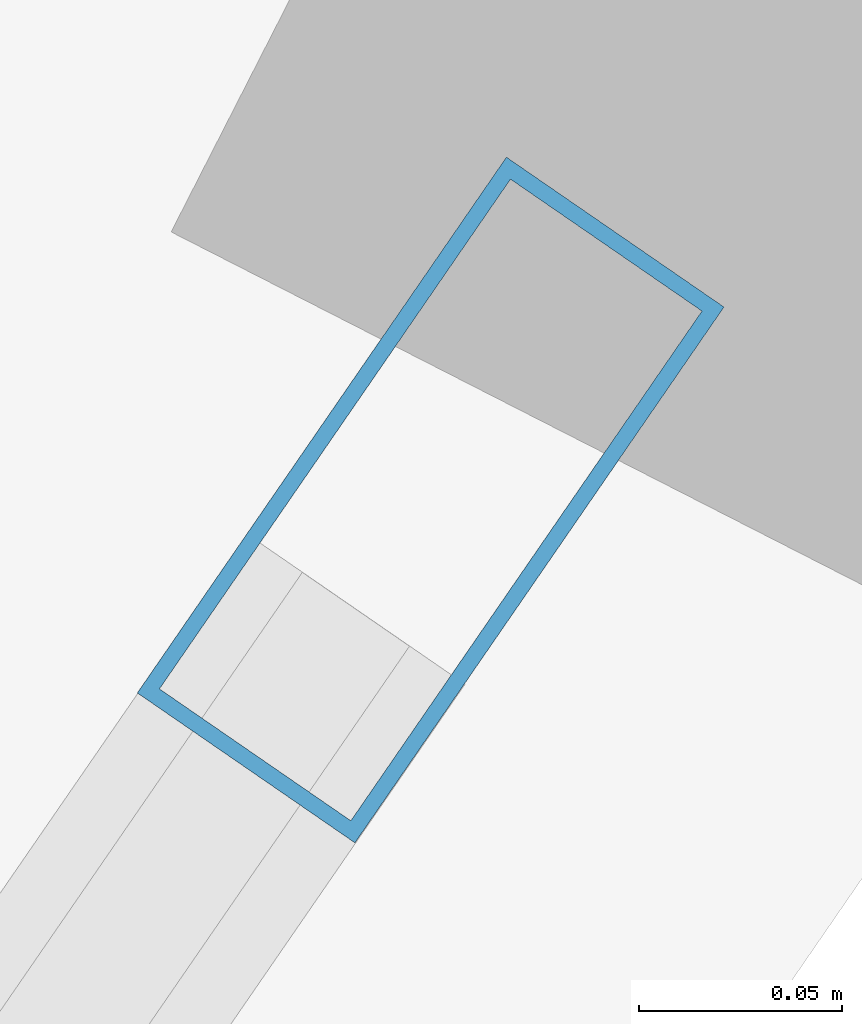
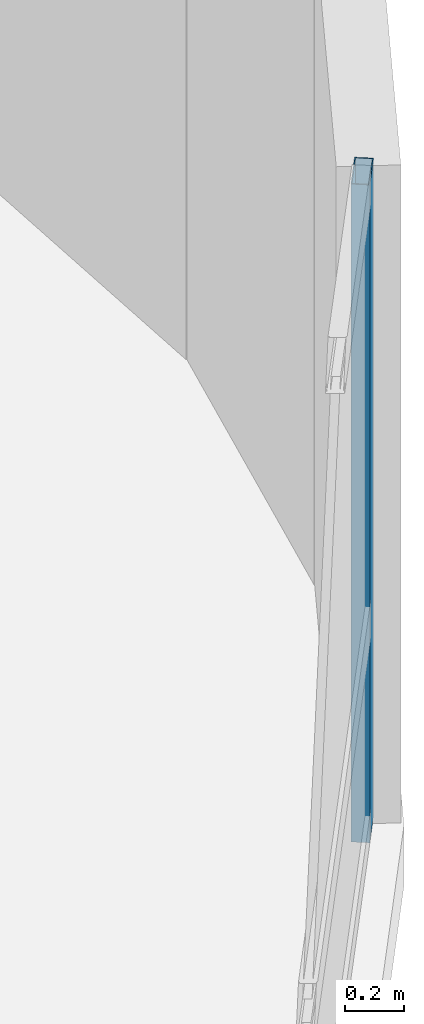
# One storey, part 11 of 25: 1 member, 1 element without a shape of its own.
"""IFC4 building model written with IfcOpenShell, lengths in metres."""

from ifc_helpers import new_model, si_unit, direction, frame, origin, origin_2d, place, context, subcontext, project, spatial, hollow_rectangle, extrude, material, layer, layer_set, material_profile, profile_set, type_object, element, aggregate, save


model = new_model("IFC4")

# Units and contexts
model_context = context("Model", 3, precision=1e-05, world=origin(), true_north=direction((0.0, 1.0)))
body_context = subcontext(model_context, "Body", "Model", "MODEL_VIEW")
ifc_project = project(units=[si_unit("LENGTHUNIT", "METRE"), si_unit("AREAUNIT", "SQUARE_METRE"), si_unit("VOLUMEUNIT", "CUBIC_METRE"), si_unit("PLANEANGLEUNIT", "RADIAN"), si_unit("MASSUNIT", "GRAM", prefix="KILO")], contexts=[model_context])

# Site, building, storey
site_placement = place(None, origin())
site = spatial("IfcSite", under=ifc_project, at=site_placement, CompositionType="ELEMENT")
building_placement = place(site_placement, origin())
building = spatial("IfcBuilding", under=site, at=building_placement, Name="Varnelok Gate Tower", CompositionType="ELEMENT")
storey_placement = place(building_placement, frame((0.0, 0.0, 49.199951171875)))
storey = spatial("IfcBuildingStorey", under=building, at=storey_placement, Name="L11", CompositionType="ELEMENT", Elevation=49.199951171875)

# Curtain wall, member
ifc_material = material(Name="Anodized Aluminum Alloy 6063-T6", Category="aluminium")
ifc_layer = layer(ifc_material, 0.179931640625)
ifc_layer_set = layer_set([ifc_layer], Name="Anodized Aluminum Alloy 6063-T6")
curtain_wall_type = type_object("IfcCurtainWallType", Name="CW3-HOTEL-VISION", PredefinedType="USERDEFINED", material=ifc_layer_set)
curtain_wall_placement = place(storey_placement, origin())
curtain_wall = element("IfcCurtainWall", 1, at=curtain_wall_placement, inside=storey, type_object=curtain_wall_type, Name="L11 East End Vision Curtain Wall", ObjectType="UNITISED CURTAIN WALL", PredefinedType="USERDEFINED")
ifc_material_profile = material_profile(ifc_material, hollow_rectangle(XDim=0.06494140625, YDim=0.159912109375, WallThickness=0.00390625, at=origin_2d()), Name="ALU160X65X4")
ifc_profile_set = profile_set([ifc_material_profile], Name="Anodized Aluminum Alloy 6063-T6")
member_type = type_object("IfcMemberType", Name="CW-MULL-160", PredefinedType="MULLION", material=ifc_profile_set)
member_placement = place(storey_placement, frame((82.52392578125, 19.33935546875, 0.0), z_axis=(0.0, 0.0, 1.0), x_axis=(0.823532685111, -0.567268822124, 0.0)))
member = element("IfcMember", 2, at=member_placement, type_object=member_type, Name="CW3 mullion 1", PredefinedType="MULLION", context=body_context, shape_type="SweptSolid", body=[
    extrude(hollow_rectangle(XDim=0.06494140625, YDim=0.159912109375, WallThickness=0.00390625, at=origin_2d()), origin(), (0.0, 0.0, 1.0), 2.72998046875),
])
aggregate(curtain_wall, [member])

save(model, "model.ifc")
